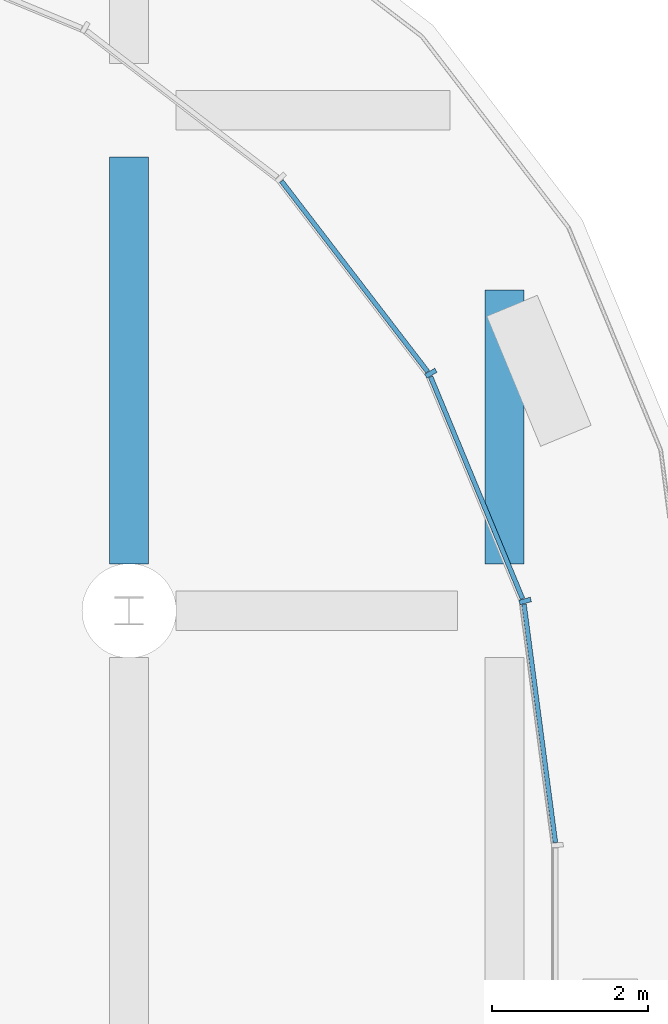
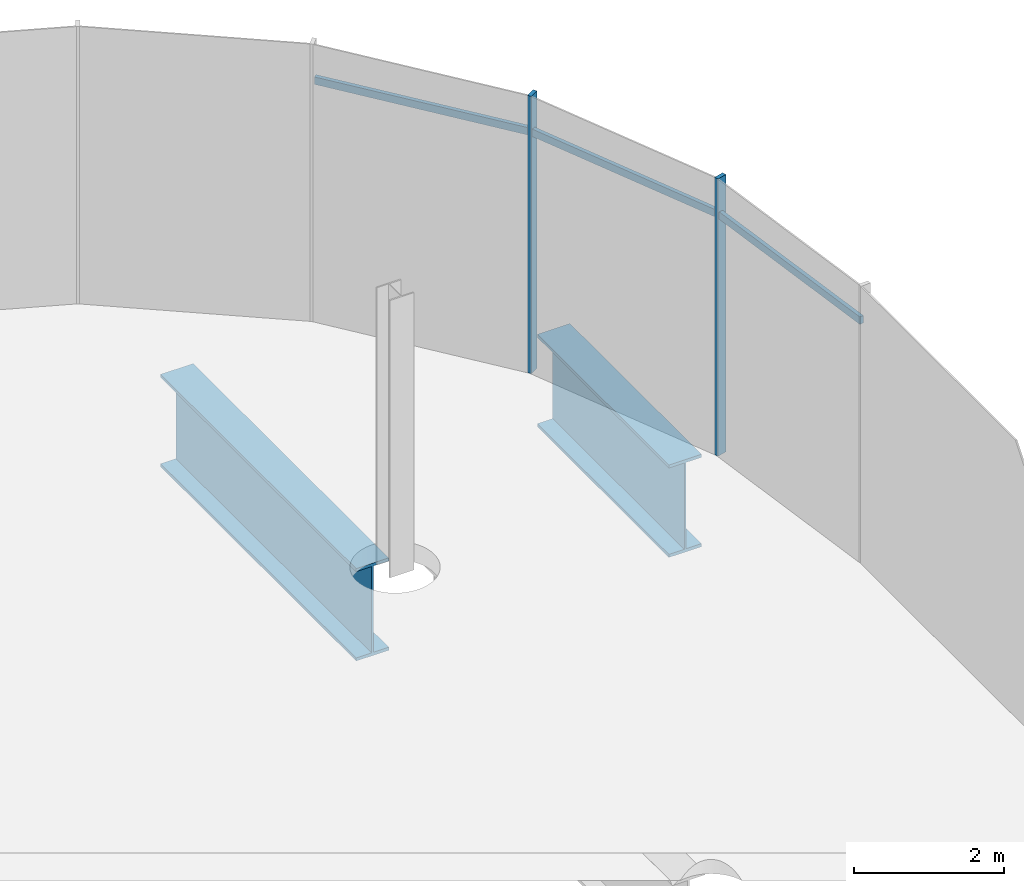
# One storey, part 29 of 56: 5 members, 2 beams, 1 element without a shape of its own.
"""IFC4 building model written with IfcOpenShell, lengths in metres."""

from ifc_helpers import new_model, si_unit, direction, frame, origin, origin_2d, place, context, subcontext, project, spatial, rectangle, i_section, extrude, material, material_profile, profile_set, type_object, element, aggregate, save


model = new_model("IFC4")

# Units and contexts
model_context = context("Model", 3, precision=1e-05, world=origin(), true_north=direction((0.0, 1.0)))
body_context = subcontext(model_context, "Body", "Model", "MODEL_VIEW")
ifc_project = project(units=[si_unit("LENGTHUNIT", "METRE"), si_unit("AREAUNIT", "SQUARE_METRE"), si_unit("VOLUMEUNIT", "CUBIC_METRE"), si_unit("PLANEANGLEUNIT", "RADIAN"), si_unit("MASSUNIT", "GRAM", prefix="KILO")], contexts=[model_context])

# Site, building, storey
site_placement = place(None, origin())
site = spatial("IfcSite", under=ifc_project, at=site_placement, CompositionType="ELEMENT")
building_placement = place(site_placement, origin())
building = spatial("IfcBuilding", under=site, at=building_placement, Name="Rimbun Link Towers", CompositionType="ELEMENT")
storey_placement = place(building_placement, frame((0.0, 0.0, 16.5)))
storey = spatial("IfcBuildingStorey", under=building, at=storey_placement, Name="L03", CompositionType="ELEMENT", Elevation=16.5)

# Curtain wall, members
ifc_material_1 = material(Name="Aluminium 6063-T6 and low-iron glass", Category="aluminium")
curtain_wall_type = type_object("IfcCurtainWallType", Name="CW3 podium shopfront", PredefinedType="NOTDEFINED", material=ifc_material_1)
curtain_wall_placement = place(storey_placement, origin())
curtain_wall = element("IfcCurtainWall", 1, at=curtain_wall_placement, inside=storey, type_object=curtain_wall_type, Name="CW3 L03 PD", PredefinedType="NOTDEFINED")
ifc_material_2 = material(Name="Aluminium 6063-T6", Category="aluminium")
ifc_material_profile_1 = material_profile(ifc_material_2, rectangle(XDim=0.14990234375, YDim=0.06005859375, at=origin_2d()), Name="MULLION 60X150")
ifc_profile_set_1 = profile_set([ifc_material_profile_1], Name="Aluminium 6063-T6")
member_type_1 = type_object("IfcMemberType", Name="CW3 mullion 60X150", PredefinedType="MULLION", material=ifc_profile_set_1)
member_1_placement = place(storey_placement, frame((59.66357421875, 21.125244140625, 0.0), z_axis=(0.0, 0.0, 1.0), x_axis=(0.965925910978, 0.258818729038, 0.0)))
member_1 = element("IfcMember", 2, at=member_1_placement, type_object=member_type_1, Name="CW3 mullion", PredefinedType="MULLION", context=body_context, shape_type="SweptSolid", body=[
    extrude(rectangle(XDim=0.14990234375, YDim=0.06005859375, at=origin_2d()), origin(), (0.0, 0.0, 1.0), 4.5),
])
member_2_placement = place(storey_placement, frame((58.457275390625, 24.03759765625, 0.0), z_axis=(0.0, 0.0, 1.0), x_axis=(0.866029040155, 0.499993701568, 0.0)))
member_2 = element("IfcMember", 3, at=member_2_placement, type_object=member_type_1, Name="CW3 mullion", PredefinedType="MULLION", context=body_context, shape_type="SweptSolid", body=[
    extrude(rectangle(XDim=0.14990234375, YDim=0.06005859375, at=origin_2d()), origin(), (0.0, 0.0, 1.0), 4.5),
])
ifc_material_3 = material(Name="Aluminium 6063-T6", Category="aluminium")
ifc_material_profile_2 = material_profile(ifc_material_3, rectangle(XDim=0.06005859375, YDim=0.1201171875, at=origin_2d()), Name="TRANSOM 60X120")
ifc_profile_set_2 = profile_set([ifc_material_profile_2], Name="Aluminium 6063-T6")
member_type_2 = type_object("IfcMemberType", Name="CW3 transom 60X120", PredefinedType="USERDEFINED", material=ifc_profile_set_2)
member_3_placement = place(storey_placement, frame((59.6484375, 21.0830078125, 3.89990234375), z_axis=(0.130555231638, -0.991441037829, 0.0), x_axis=(0.991441037829, 0.130555231638, 0.0)))
member_3 = element("IfcMember", 4, at=member_3_placement, type_object=member_type_2, Name="CW3 transom", ObjectType="TRANSOM", PredefinedType="USERDEFINED", context=body_context, shape_type="SweptSolid", body=[
    extrude(rectangle(XDim=0.06005859375, YDim=0.1201171875, at=origin_2d()), origin(), (0.0, 0.0, 1.0), 3.072509765625),
])
member_4_placement = place(storey_placement, frame((58.45361328125, 23.992919921875, 3.89990234375), z_axis=(0.382679289053, -0.923881248716, 0.0), x_axis=(0.923881248716, 0.382679289053, 0.0)))
member_4 = element("IfcMember", 5, at=member_4_placement, type_object=member_type_2, Name="CW3 transom", ObjectType="TRANSOM", PredefinedType="USERDEFINED", context=body_context, shape_type="SweptSolid", body=[
    extrude(rectangle(XDim=0.06005859375, YDim=0.1201171875, at=origin_2d()), origin(), (0.0, 0.0, 1.0), 3.072509765625),
])
member_5_placement = place(storey_placement, frame((56.54638671875, 26.494384765625, 3.89990234375), z_axis=(0.608773432314, -0.793344129687, 0.0), x_axis=(0.793344129687, 0.608773432314, 0.0)))
member_5 = element("IfcMember", 6, at=member_5_placement, type_object=member_type_2, Name="CW3 transom", ObjectType="TRANSOM", PredefinedType="USERDEFINED", context=body_context, shape_type="SweptSolid", body=[
    extrude(rectangle(XDim=0.06005859375, YDim=0.1201171875, at=origin_2d()), origin(), (0.0, 0.0, 1.0), 3.07275390625),
])
aggregate(curtain_wall, [member_1, member_2, member_3, member_4, member_5])

# Beams
ifc_material_4 = material(Name="Steel S355J2", Category="steel")
ifc_material_profile_3 = material_profile(ifc_material_4, i_section(OverallWidth=0.5, OverallDepth=1.5, WebThickness=0.030029296875, FlangeThickness=0.050048828125, at=origin_2d()), Name="PG 1500x500x30/50")
ifc_profile_set_3 = profile_set([ifc_material_profile_3], Name="Steel S355J2")
beam_type = type_object("IfcBeamType", Name="PG 1500x500x30/50", PredefinedType="BEAM", material=ifc_profile_set_3)
beam_1_placement = place(storey_placement, frame((54.60009765625, 21.60009765625, -1.050048828125), z_axis=(0.0, 1.0, 0.0), x_axis=(-1.0, 0.0, 0.0)))
element("IfcBeam", 7, at=beam_1_placement, inside=storey, type_object=beam_type, Name="Grid beam L03 +54.6", PredefinedType="BEAM", context=body_context, shape_type="SweptSolid", body=[
    extrude(i_section(OverallWidth=0.5, OverallDepth=1.5, WebThickness=0.030029296875, FlangeThickness=0.050048828125, at=origin_2d()), origin(), (0.0, 0.0, 1.0), 5.199951171875),
])
beam_2_placement = place(storey_placement, frame((59.39990234375, 21.60009765625, -1.050048828125), z_axis=(0.0, 1.0, 0.0), x_axis=(-1.0, 0.0, 0.0)))
element("IfcBeam", 8, at=beam_2_placement, inside=storey, type_object=beam_type, Name="Grid beam L03 +59.4", PredefinedType="BEAM", context=body_context, shape_type="SweptSolid", body=[
    extrude(i_section(OverallWidth=0.5, OverallDepth=1.5, WebThickness=0.030029296875, FlangeThickness=0.050048828125, at=origin_2d()), origin(), (0.0, 0.0, 1.0), 3.5),
])

save(model, "model.ifc")
